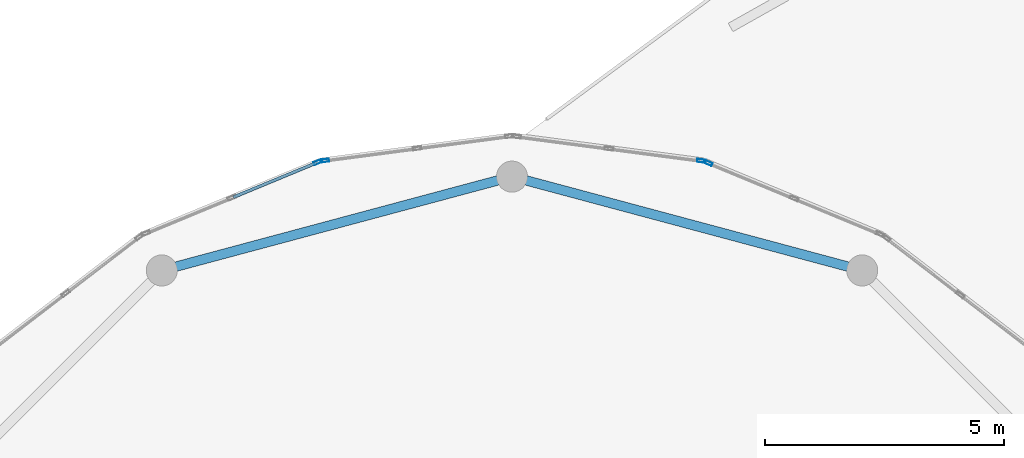
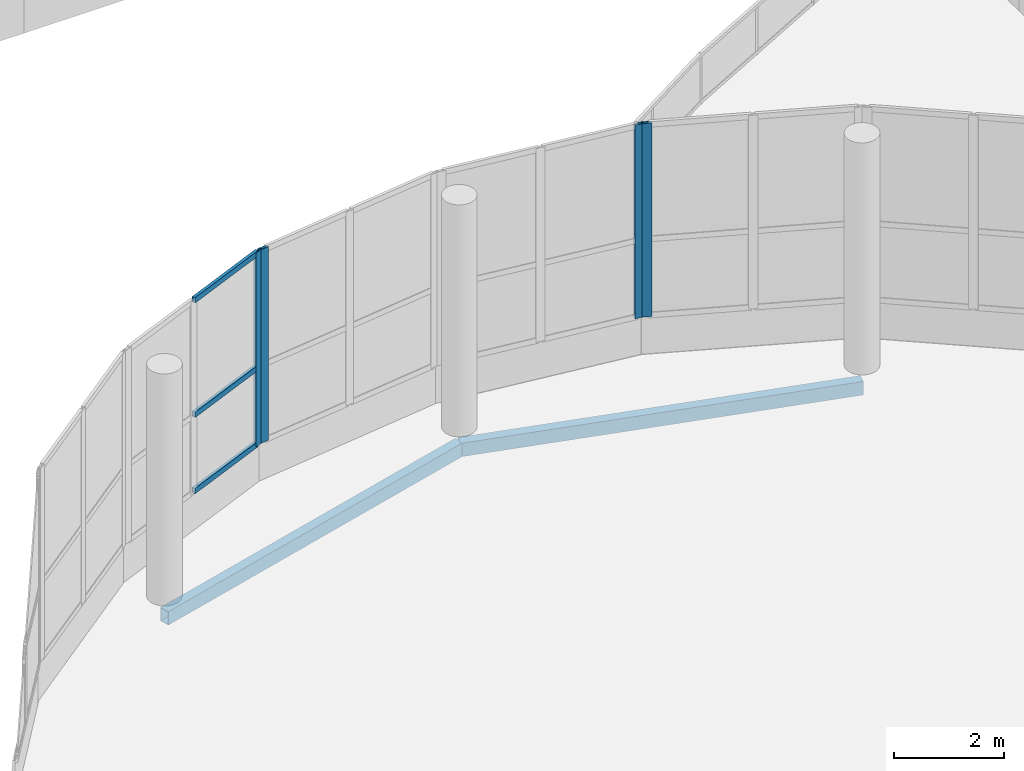
# One storey, part 11 of 101: 7 members, 2 beams, 4 elements without a shape of their own.
"""IFC4 building model written with IfcOpenShell, lengths in metres."""

from ifc_helpers import new_model, si_unit, direction, frame, origin, origin_2d, place, context, subcontext, project, spatial, hollow_rectangle, extrude, material, material_profile, profile_set, type_object, element, aggregate, save


model = new_model("IFC4")

# Units and contexts
model_context = context("Model", 3, precision=1e-05, world=origin(), true_north=direction((0.0, 1.0)))
body_context = subcontext(model_context, "Body", "Model", "MODEL_VIEW")
ifc_project = project(units=[si_unit("LENGTHUNIT", "METRE"), si_unit("AREAUNIT", "SQUARE_METRE"), si_unit("VOLUMEUNIT", "CUBIC_METRE"), si_unit("PLANEANGLEUNIT", "RADIAN"), si_unit("MASSUNIT", "GRAM", prefix="KILO")], contexts=[model_context])

# Site, building, storey
site_placement = place(None, origin())
site = spatial("IfcSite", under=ifc_project, at=site_placement, CompositionType="ELEMENT")
building_placement = place(site_placement, origin())
building = spatial("IfcBuilding", under=site, at=building_placement, Name="Selatvlak General Hospital", CompositionType="ELEMENT")
storey_placement = place(building_placement, frame((0.0, 0.0, 19.199951171875)))
storey = spatial("IfcBuildingStorey", under=building, at=storey_placement, Name="L04", CompositionType="ELEMENT", Elevation=19.199951171875)

# Beams
ifc_material_1 = material(Name="Steel S355", Category="steel")
ifc_material_profile_1 = material_profile(ifc_material_1, hollow_rectangle(XDim=0.199951171875, YDim=0.300048828125, WallThickness=0.011962890625, at=origin_2d()), Name="RHS 300x200x12")
ifc_profile_set_1 = profile_set([ifc_material_profile_1], Name="Steel S355")
beam_type = type_object("IfcBeamType", Name="BM-SP3", PredefinedType="SPANDREL", material=ifc_profile_set_1)
for number, where, z_axis, x_axis, name in (
    (1, (105.324951171875, 66.68701171875, -0.454833984375), (-0.965920028052, 0.25884068345, 0.0), (-0.25884068345, -0.965920028052, 0.0), "Beam BMR-L04-1800"),
    (2, (98.0, 68.64990234375, -0.454833984375), (-0.965920028052, -0.25884068345, 0.0), (0.25884068345, -0.965920028052, 0.0), "Beam BMR-L04-1801"),
):
    element("IfcBeam", number, at=place(storey_placement, frame(where, z_axis=z_axis, x_axis=x_axis)), inside=storey, type_object=beam_type, Name=name, PredefinedType="SPANDREL", context=body_context, shape_type="SweptSolid", body=[
        extrude(hollow_rectangle(XDim=0.199951171875, YDim=0.300048828125, WallThickness=0.011962890625, at=origin_2d()), origin(), (0.0, 0.0, 1.0), 7.58349609375),
    ])

# Curtain wall, member
ifc_material_2 = material(Name="Solar-control Low-E double glazing", Category="glass")
curtain_wall_type_1 = type_object("IfcCurtainWallType", Name="CW-CW-04", PredefinedType="USERDEFINED", material=ifc_material_2)
curtain_wall_1_placement = place(storey_placement, origin())
curtain_wall_1 = element("IfcCurtainWall", 3, at=curtain_wall_1_placement, inside=storey, type_object=curtain_wall_type_1, Name="Glazed facade curtain wall CW-L04-0535", ObjectType="STICK GLAZING WALL", PredefinedType="USERDEFINED")
ifc_material_3 = material(Name="Dark anodised aluminium mullion", Category="aluminium")
ifc_material_profile_2 = material_profile(ifc_material_3, hollow_rectangle(XDim=0.06494140625, YDim=0.179931640625, WallThickness=0.00439453125, at=origin_2d()), Name="AL-MUL 65x180x4.5")
ifc_profile_set_2 = profile_set([ifc_material_profile_2], Name="Dark anodised aluminium mullion")
member_type_1 = type_object("IfcMemberType", Name="CWM-02", PredefinedType="MULLION", material=ifc_profile_set_2)
member_1_placement = place(storey_placement, frame((93.94287109375, 68.95263671875, 0.85009765625), z_axis=(0.0, 0.0, 1.0), x_axis=(-0.382752625243, 0.923850868847, 0.0)))
member_1 = element("IfcMember", 4, at=member_1_placement, type_object=member_type_1, Name="CW-04 mullion 3", PredefinedType="MULLION", context=body_context, shape_type="SweptSolid", body=[
    extrude(hollow_rectangle(XDim=0.06494140625, YDim=0.179931640625, WallThickness=0.00439453125, at=origin_2d()), origin(), (0.0, 0.0, 1.0), 4.300048828125),
])

curtain_wall_type_2 = type_object("IfcCurtainWallType", Name="CW-CW-05", PredefinedType="USERDEFINED", material=ifc_material_2)
curtain_wall_2_placement = place(storey_placement, origin())
curtain_wall_2 = element("IfcCurtainWall", 5, at=curtain_wall_2_placement, inside=storey, type_object=curtain_wall_type_2, Name="Glazed facade curtain wall CW-L04-0536", ObjectType="STICK GLAZING WALL", PredefinedType="USERDEFINED")
member_2_placement = place(storey_placement, frame((94.084228515625, 68.984130859375, 0.85009765625), z_axis=(0.0, 0.0, 1.0), x_axis=(-0.130611050186, 0.991433685916, 0.0)))
member_2 = element("IfcMember", 6, at=member_2_placement, type_object=member_type_1, Name="CW-05 mullion 1", PredefinedType="MULLION", context=body_context, shape_type="SweptSolid", body=[
    extrude(hollow_rectangle(XDim=0.06494140625, YDim=0.179931640625, WallThickness=0.00439453125, at=origin_2d()), origin(), (0.0, 0.0, 1.0), 4.300048828125),
])
aggregate(curtain_wall_2, [member_2])

curtain_wall_3_placement = place(storey_placement, origin())
curtain_wall_3 = element("IfcCurtainWall", 7, at=curtain_wall_3_placement, inside=storey, type_object=curtain_wall_type_1, Name="Glazed facade curtain wall CW-L04-0537", ObjectType="STICK GLAZING WALL", PredefinedType="USERDEFINED")
member_3_placement = place(storey_placement, frame((101.9638671875, 68.978271484375, 0.85009765625), z_axis=(0.0, 0.0, 1.0), x_axis=(0.130363194467, 0.991466306804, 0.0)))
member_3 = element("IfcMember", 8, at=member_3_placement, type_object=member_type_1, Name="CW-04 mullion 3", PredefinedType="MULLION", context=body_context, shape_type="SweptSolid", body=[
    extrude(hollow_rectangle(XDim=0.06494140625, YDim=0.179931640625, WallThickness=0.00439453125, at=origin_2d()), origin(), (0.0, 0.0, 1.0), 4.300048828125),
])
aggregate(curtain_wall_3, [member_3])

curtain_wall_4_placement = place(storey_placement, origin())
curtain_wall_4 = element("IfcCurtainWall", 9, at=curtain_wall_4_placement, inside=storey, type_object=curtain_wall_type_2, Name="Glazed facade curtain wall CW-L04-0538", ObjectType="STICK GLAZING WALL", PredefinedType="USERDEFINED")
member_4_placement = place(storey_placement, frame((102.10107421875, 68.9345703125, 0.85009765625), z_axis=(0.0, 0.0, 1.0), x_axis=(0.382537390187, 0.92394001164, 0.0)))
member_4 = element("IfcMember", 10, at=member_4_placement, type_object=member_type_1, Name="CW-05 mullion 1", PredefinedType="MULLION", context=body_context, shape_type="SweptSolid", body=[
    extrude(hollow_rectangle(XDim=0.06494140625, YDim=0.179931640625, WallThickness=0.00439453125, at=origin_2d()), origin(), (0.0, 0.0, 1.0), 4.300048828125),
])
aggregate(curtain_wall_4, [member_4])

# Member
ifc_material_profile_3 = material_profile(ifc_material_3, hollow_rectangle(XDim=0.06494140625, YDim=0.1201171875, WallThickness=0.00390625, at=origin_2d()), Name="AL-TRN 65x120x4")
ifc_profile_set_3 = profile_set([ifc_material_profile_3], Name="Dark anodised aluminium mullion")
member_type_2 = type_object("IfcMemberType", Name="CWT-01", PredefinedType="USERDEFINED", material=ifc_profile_set_3)
member_5_placement = place(storey_placement, frame((92.171142578125, 68.218505859375, 0.882568359375), z_axis=(0.923833721264, 0.382794011782, 0.0), x_axis=(-0.382794011782, 0.923833721264, 0.0)))
member_5 = element("IfcMember", 11, at=member_5_placement, type_object=member_type_2, Name="CW-04 transom 2.1", ObjectType="TRANSOM", PredefinedType="USERDEFINED", context=body_context, shape_type="SweptSolid", body=[
    extrude(hollow_rectangle(XDim=0.06494140625, YDim=0.1201171875, WallThickness=0.00390625, at=origin_2d()), origin(), (0.0, 0.0, 1.0), 1.88525390625),
])

member_6_placement = place(storey_placement, frame((92.171142578125, 68.218505859375, 2.574951171875), z_axis=(0.923833721264, 0.382794011782, 0.0), x_axis=(-0.382794011782, 0.923833721264, 0.0)))
member_6 = element("IfcMember", 12, at=member_6_placement, type_object=member_type_2, Name="CW-04 transom 2.2", ObjectType="TRANSOM", PredefinedType="USERDEFINED", context=body_context, shape_type="SweptSolid", body=[
    extrude(hollow_rectangle(XDim=0.06494140625, YDim=0.1201171875, WallThickness=0.00390625, at=origin_2d()), origin(), (0.0, 0.0, 1.0), 1.88525390625),
])

member_7_placement = place(storey_placement, frame((92.171142578125, 68.218505859375, 5.117431640625), z_axis=(0.923833721264, 0.382794011782, 0.0), x_axis=(-0.382794011782, 0.923833721264, 0.0)))
member_7 = element("IfcMember", 13, at=member_7_placement, type_object=member_type_2, Name="CW-04 transom 2.3", ObjectType="TRANSOM", PredefinedType="USERDEFINED", context=body_context, shape_type="SweptSolid", body=[
    extrude(hollow_rectangle(XDim=0.06494140625, YDim=0.1201171875, WallThickness=0.00390625, at=origin_2d()), origin(), (0.0, 0.0, 1.0), 1.88525390625),
])

aggregate(curtain_wall_1, [member_1, member_5, member_6, member_7])

save(model, "model.ifc")
